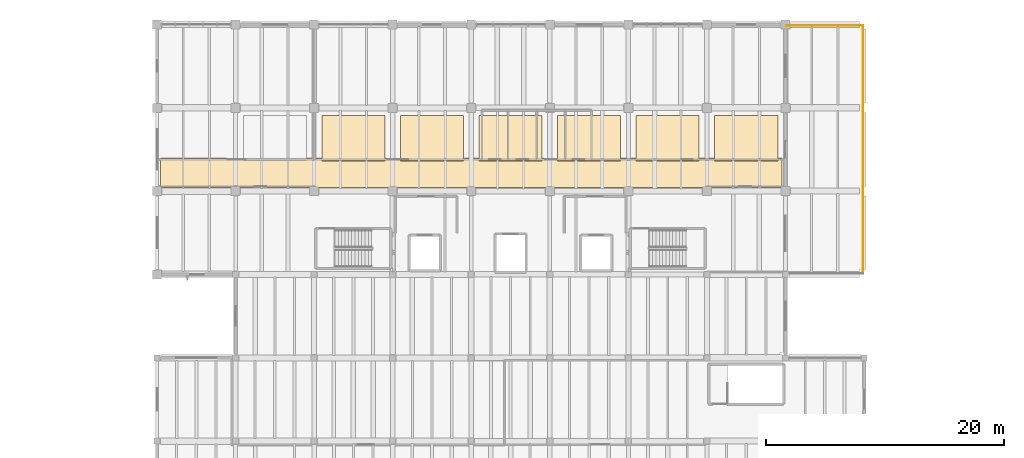
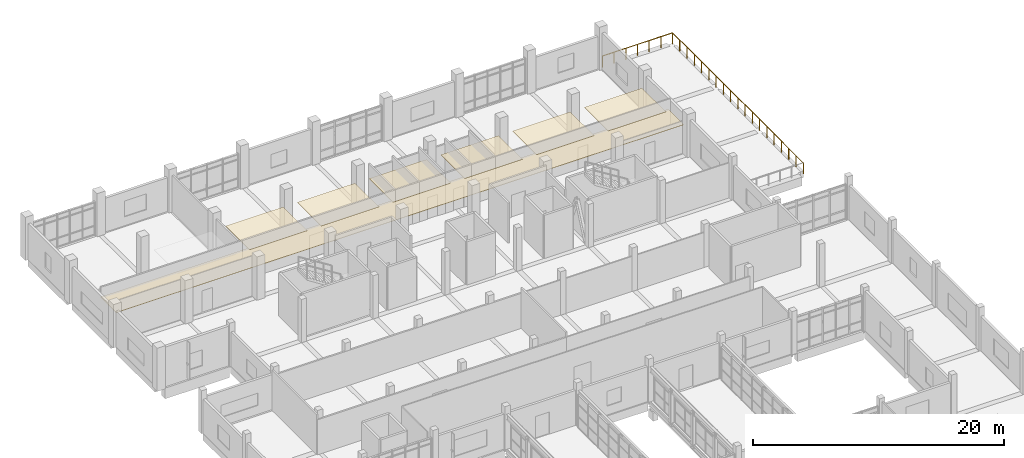
# One storey, part 65 of 65: 7 coverings, 2 railings.
"""IFC4 building model written with IfcOpenShell, lengths in metres."""

from ifc_helpers import new_model, si_unit, direction, frame, origin, origin_2d, place, context, subcontext, project, spatial, polyline, circle, outline, extrude, material, layer, layer_set, type_object, element, save


model = new_model("IFC4")

# Units and contexts
model_context = context("Model", 3, precision=1e-05, world=origin(), true_north=direction((0.0, 1.0)))
body_context = subcontext(model_context, "Body", "Model", "MODEL_VIEW")
ifc_project = project(units=[si_unit("LENGTHUNIT", "METRE"), si_unit("AREAUNIT", "SQUARE_METRE"), si_unit("VOLUMEUNIT", "CUBIC_METRE"), si_unit("PLANEANGLEUNIT", "RADIAN"), si_unit("MASSUNIT", "GRAM", prefix="KILO")], contexts=[model_context])

# Site, building, storey
site_placement = place(None, origin())
site = spatial("IfcSite", under=ifc_project, at=site_placement, CompositionType="ELEMENT")
building_placement = place(site_placement, origin())
building = spatial("IfcBuilding", under=site, at=building_placement, Name="Ciguamira Faculty of Natural Sciences", CompositionType="ELEMENT")
storey_placement = place(building_placement, frame((0.0, 0.0, 12.60009765625)))
storey = spatial("IfcBuildingStorey", under=building, at=storey_placement, Name="L03", CompositionType="ELEMENT", Elevation=12.60009765625)

# Coverings
ifc_material_1 = material(Name="Perforated white acoustic ceiling")
ifc_layer = layer(ifc_material_1, 0.0400390625, Name="Perforated white acoustic ceiling")
ifc_layer_set = layer_set([ifc_layer], Name="Perforated white acoustic ceiling")
covering_type = type_object("IfcCoveringType", Name="AcousticCeiling_AC01", PredefinedType="CEILING", material=ifc_layer_set)
covering_1_placement = place(storey_placement, frame((0.0, 0.0, 2.760009765625)))
element("IfcCovering", 1, at=covering_1_placement, inside=storey, type_object=covering_type, Name="L03 corridor acoustic ceiling", PredefinedType="CEILING", context=body_context, shape_type="SweptSolid", body=[
    extrude(outline(polyline([(57.60009765625, 101.300048828125), (109.800048828125, 101.300048828125), (109.800048828125, 103.800048828125), (57.60009765625, 103.800048828125), (57.60009765625, 101.300048828125)])), origin(), (0.0, 0.0, 1.0), 0.039794921875),
])
covering_2_placement = place(storey_placement, frame((0.0, 0.0, 2.760009765625)))
element("IfcCovering", 2, at=covering_2_placement, inside=storey, type_object=covering_type, Name="L03 research bay 02 acoustic ceiling", PredefinedType="CEILING", context=body_context, shape_type="SweptSolid", body=[
    extrude(outline(polyline([(71.14990234375, 103.550048828125), (76.449951171875, 103.550048828125), (76.449951171875, 107.35009765625), (71.14990234375, 107.35009765625), (71.14990234375, 103.550048828125)])), origin(), (0.0, 0.0, 1.0), 0.039794921875),
])
covering_3_placement = place(storey_placement, frame((0.0, 0.0, 2.760009765625)))
element("IfcCovering", 3, at=covering_3_placement, inside=storey, type_object=covering_type, Name="L03 research bay 03 acoustic ceiling", PredefinedType="CEILING", context=body_context, shape_type="SweptSolid", body=[
    extrude(outline(polyline([(77.75, 103.550048828125), (83.050048828125, 103.550048828125), (83.050048828125, 107.35009765625), (77.75, 107.35009765625), (77.75, 103.550048828125)])), origin(), (0.0, 0.0, 1.0), 0.039794921875),
])
covering_4_placement = place(storey_placement, frame((0.0, 0.0, 2.760009765625)))
element("IfcCovering", 4, at=covering_4_placement, inside=storey, type_object=covering_type, Name="L03 research bay 04 acoustic ceiling", PredefinedType="CEILING", context=body_context, shape_type="SweptSolid", body=[
    extrude(outline(polyline([(84.35009765625, 103.550048828125), (89.64990234375, 103.550048828125), (89.64990234375, 107.35009765625), (84.35009765625, 107.35009765625), (84.35009765625, 103.550048828125)])), origin(), (0.0, 0.0, 1.0), 0.039794921875),
])
covering_5_placement = place(storey_placement, frame((0.0, 0.0, 2.760009765625)))
element("IfcCovering", 5, at=covering_5_placement, inside=storey, type_object=covering_type, Name="L03 research bay 05 acoustic ceiling", PredefinedType="CEILING", context=body_context, shape_type="SweptSolid", body=[
    extrude(outline(polyline([(90.949951171875, 103.550048828125), (96.25, 103.550048828125), (96.25, 107.35009765625), (90.949951171875, 107.35009765625), (90.949951171875, 103.550048828125)])), origin(), (0.0, 0.0, 1.0), 0.039794921875),
])
covering_6_placement = place(storey_placement, frame((0.0, 0.0, 2.760009765625)))
element("IfcCovering", 6, at=covering_6_placement, inside=storey, type_object=covering_type, Name="L03 research bay 06 acoustic ceiling", PredefinedType="CEILING", context=body_context, shape_type="SweptSolid", body=[
    extrude(outline(polyline([(97.550048828125, 103.550048828125), (102.85009765625, 103.550048828125), (102.85009765625, 107.35009765625), (97.550048828125, 107.35009765625), (97.550048828125, 103.550048828125)])), origin(), (0.0, 0.0, 1.0), 0.039794921875),
])
covering_7_placement = place(storey_placement, frame((0.0, 0.0, 2.760009765625)))
element("IfcCovering", 7, at=covering_7_placement, inside=storey, type_object=covering_type, Name="L03 research bay 07 acoustic ceiling", PredefinedType="CEILING", context=body_context, shape_type="SweptSolid", body=[
    extrude(outline(polyline([(104.14990234375, 103.550048828125), (109.449951171875, 103.550048828125), (109.449951171875, 107.35009765625), (104.14990234375, 107.35009765625), (104.14990234375, 103.550048828125)])), origin(), (0.0, 0.0, 1.0), 0.039794921875),
])

# Railings
ifc_material_2 = material(Name="Stainless steel balustrade", Category="steel")
railing_type = type_object("IfcRailingType", Name="Guardrail_GR01", PredefinedType="GUARDRAIL", material=ifc_material_2)
railing_1_placement = place(storey_placement, frame((116.6201171875, 94.080078125, 0.0)))
element("IfcRailing", 8, at=railing_1_placement, inside=storey, type_object=railing_type, Name="L03 Research East Setback Terrace east guardrail", PredefinedType="GUARDRAIL", context=body_context, shape_type="SweptSolid", body=[
    extrude(circle(Radius=0.02392578125, at=origin_2d()), frame((0.0, 0.0, 1.076171875), z_axis=(0.0, 1.0, 0.0), x_axis=(-1.0, 0.0, 0.0)), (0.0, 0.0, 1.0), 20.83984375),
    extrude(circle(Radius=0.02099609375, at=origin_2d()), origin(), (0.0, 0.0, 1.0), 1.052001953125),
    extrude(circle(Radius=0.02099609375, at=origin_2d()), frame((0.0, 1.15771484375, 0.0)), (0.0, 0.0, 1.0), 1.052001953125),
    extrude(circle(Radius=0.02099609375, at=origin_2d()), frame((0.0, 2.3154296875, 0.0)), (0.0, 0.0, 1.0), 1.052001953125),
    extrude(circle(Radius=0.02099609375, at=origin_2d()), frame((0.0, 3.473388671875, 0.0)), (0.0, 0.0, 1.0), 1.052001953125),
    extrude(circle(Radius=0.02099609375, at=origin_2d()), frame((0.0, 4.631103515625, 0.0)), (0.0, 0.0, 1.0), 1.052001953125),
    extrude(circle(Radius=0.02099609375, at=origin_2d()), frame((0.0, 5.788818359375, 0.0)), (0.0, 0.0, 1.0), 1.052001953125),
    extrude(circle(Radius=0.02099609375, at=origin_2d()), frame((0.0, 6.946533203125, 0.0)), (0.0, 0.0, 1.0), 1.052001953125),
    extrude(circle(Radius=0.02099609375, at=origin_2d()), frame((0.0, 8.1044921875, 0.0)), (0.0, 0.0, 1.0), 1.052001953125),
    extrude(circle(Radius=0.02099609375, at=origin_2d()), frame((0.0, 9.26220703125, 0.0)), (0.0, 0.0, 1.0), 1.052001953125),
    extrude(circle(Radius=0.02099609375, at=origin_2d()), frame((0.0, 10.419921875, 0.0)), (0.0, 0.0, 1.0), 1.052001953125),
    extrude(circle(Radius=0.02099609375, at=origin_2d()), frame((0.0, 11.57763671875, 0.0)), (0.0, 0.0, 1.0), 1.052001953125),
    extrude(circle(Radius=0.02099609375, at=origin_2d()), frame((0.0, 12.7353515625, 0.0)), (0.0, 0.0, 1.0), 1.052001953125),
    extrude(circle(Radius=0.02099609375, at=origin_2d()), frame((0.0, 13.893310546875, 0.0)), (0.0, 0.0, 1.0), 1.052001953125),
    extrude(circle(Radius=0.02099609375, at=origin_2d()), frame((0.0, 15.051025390625, 0.0)), (0.0, 0.0, 1.0), 1.052001953125),
    extrude(circle(Radius=0.02099609375, at=origin_2d()), frame((0.0, 16.208740234375, 0.0)), (0.0, 0.0, 1.0), 1.052001953125),
    extrude(circle(Radius=0.02099609375, at=origin_2d()), frame((0.0, 17.366455078125, 0.0)), (0.0, 0.0, 1.0), 1.052001953125),
    extrude(circle(Radius=0.02099609375, at=origin_2d()), frame((0.0, 18.5244140625, 0.0)), (0.0, 0.0, 1.0), 1.052001953125),
    extrude(circle(Radius=0.02099609375, at=origin_2d()), frame((0.0, 19.68212890625, 0.0)), (0.0, 0.0, 1.0), 1.052001953125),
    extrude(circle(Radius=0.02099609375, at=origin_2d()), frame((0.0, 20.83984375, 0.0)), (0.0, 0.0, 1.0), 1.052001953125),
])
railing_2_placement = place(storey_placement, frame((110.179931640625, 114.919921875, 0.0)))
element("IfcRailing", 9, at=railing_2_placement, inside=storey, type_object=railing_type, Name="L03 Research East Setback Terrace north guardrail", PredefinedType="GUARDRAIL", context=body_context, shape_type="SweptSolid", body=[
    extrude(circle(Radius=0.02392578125, at=origin_2d()), frame((0.0, 0.0, 1.076171875), z_axis=(1.0, 0.0, 0.0), x_axis=(0.0, 1.0, 0.0)), (0.0, 0.0, 1.0), 6.440185546875),
    extrude(circle(Radius=0.02099609375, at=origin_2d()), origin(), (0.0, 0.0, 1.0), 1.052001953125),
    extrude(circle(Radius=0.02099609375, at=origin_2d()), frame((1.0732421875, 0.0, 0.0)), (0.0, 0.0, 1.0), 1.052001953125),
    extrude(circle(Radius=0.02099609375, at=origin_2d()), frame((2.146728515625, 0.0, 0.0)), (0.0, 0.0, 1.0), 1.052001953125),
    extrude(circle(Radius=0.02099609375, at=origin_2d()), frame((3.22021484375, 0.0, 0.0)), (0.0, 0.0, 1.0), 1.052001953125),
    extrude(circle(Radius=0.02099609375, at=origin_2d()), frame((4.29345703125, 0.0, 0.0)), (0.0, 0.0, 1.0), 1.052001953125),
    extrude(circle(Radius=0.02099609375, at=origin_2d()), frame((5.36669921875, 0.0, 0.0)), (0.0, 0.0, 1.0), 1.052001953125),
    extrude(circle(Radius=0.02099609375, at=origin_2d()), frame((6.440185546875, 0.0, 0.0)), (0.0, 0.0, 1.0), 1.052001953125),
])

save(model, "model.ifc")
